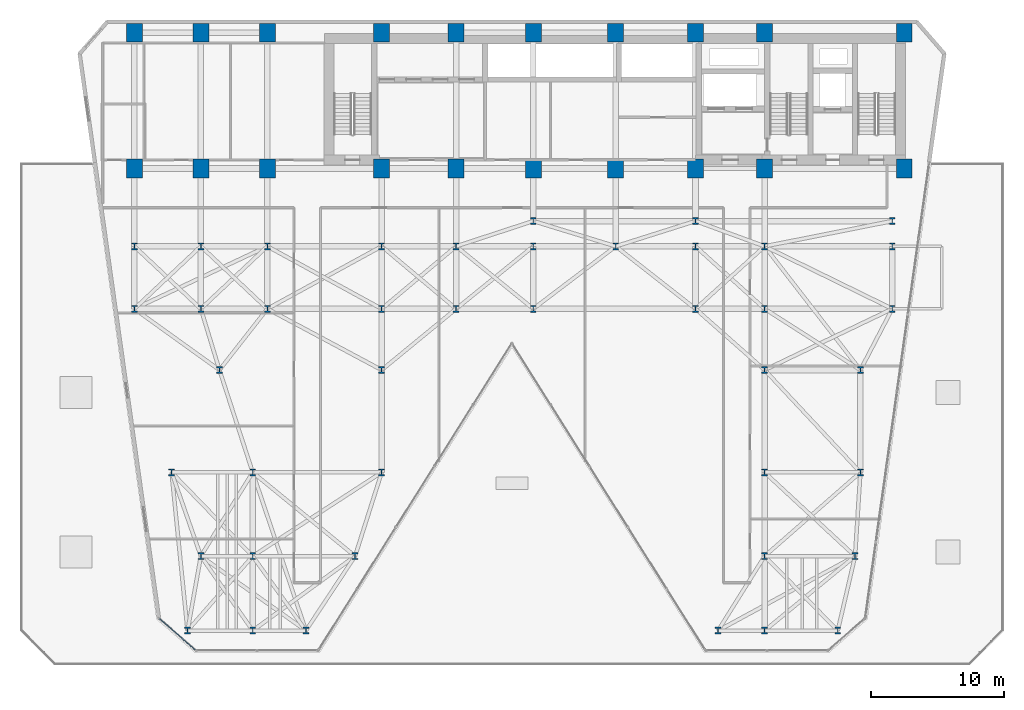
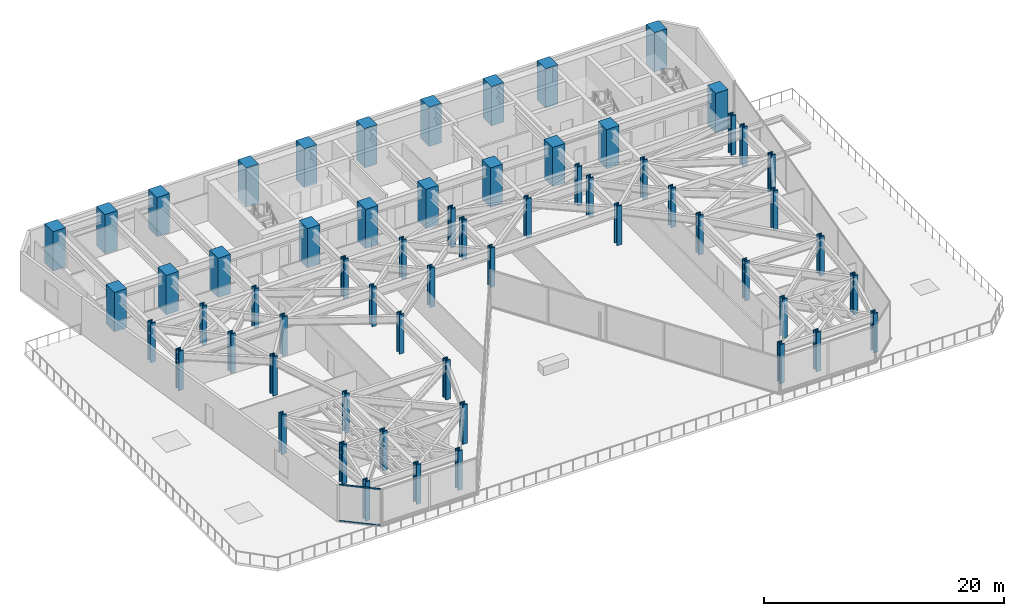
# One storey, part 1 of 25: 62 columns, 2 members, 1 element without a shape of its own.
"""IFC4 building model written with IfcOpenShell, lengths in metres."""

from ifc_helpers import new_model, si_unit, direction, frame, origin, origin_2d, place, context, subcontext, project, spatial, rectangle, hollow_rectangle, i_section, extrude, material, layer, layer_set, material_profile, profile_set, type_object, element, aggregate, save


model = new_model("IFC4")

# Units and contexts
model_context = context("Model", 3, precision=1e-05, world=origin(), true_north=direction((0.0, 1.0)))
body_context = subcontext(model_context, "Body", "Model", "MODEL_VIEW")
ifc_project = project(units=[si_unit("LENGTHUNIT", "METRE"), si_unit("AREAUNIT", "SQUARE_METRE"), si_unit("VOLUMEUNIT", "CUBIC_METRE"), si_unit("PLANEANGLEUNIT", "RADIAN"), si_unit("MASSUNIT", "GRAM", prefix="KILO")], contexts=[model_context])

# Site, building, storey
site_placement = place(None, origin())
site = spatial("IfcSite", under=ifc_project, at=site_placement, CompositionType="ELEMENT")
building_placement = place(site_placement, origin())
building = spatial("IfcBuilding", under=site, at=building_placement, Name="Kravanh Interchange Tower", CompositionType="ELEMENT")
storey_placement = place(building_placement, frame((0.0, 0.0, 29.5)))
storey = spatial("IfcBuildingStorey", under=building, at=storey_placement, Name="L06", CompositionType="ELEMENT", Elevation=29.5)

# Columns
ifc_material_1 = material(Name="Concrete C80/95", Category="concrete")
ifc_material_profile_1 = material_profile(ifc_material_1, rectangle(XDim=1.199951171875, YDim=1.39990234375, at=origin_2d()), Name="RC1200X1400")
ifc_profile_set_1 = profile_set([ifc_material_profile_1], Name="Concrete C80/95")
column_type_1 = type_object("IfcColumnType", Name="Column RC1200X1400 Concrete C80/95", PredefinedType="COLUMN", material=ifc_profile_set_1)
for number, where, z_axis, x_axis, name in (
    (1, (66.5, 47.550048828125, 0.0), (0.0, 0.0, 1.0), (1.0, 0.0, 0.0), "L06 Column CS01"),
    (2, (56.0, 47.550048828125, 0.0), (0.0, 0.0, 1.0), (1.0, 0.0, 0.0), "L06 Column CS02"),
    (3, (66.5, 37.35009765625, 0.0), (0.0, 0.0, 1.0), (1.0, 0.0, 0.0), "L06 Column CS03"),
    (4, (56.0, 37.35009765625, 0.0), (0.0, 0.0, 1.0), (1.0, 0.0, 0.0), "L06 Column CS04"),
    (5, (50.800048828125, 47.550048828125, 0.0), (0.0, 0.0, 1.0), (1.0, 0.0, 0.0), "L06 Column CS05"),
    (6, (50.800048828125, 37.35009765625, 0.0), (0.0, 0.0, 1.0), (1.0, 0.0, 0.0), "L06 Column CS06"),
    (7, (44.800048828125, 37.35009765625, 0.0), (0.0, 0.0, 1.0), (1.0, 0.0, 0.0), "L06 Column CS07"),
    (8, (44.800048828125, 47.550048828125, 0.0), (0.0, 0.0, 1.0), (1.0, 0.0, 0.0), "L06 Column CS08"),
    (9, (38.60009765625, 37.35009765625, 0.0), (0.0, 0.0, 1.0), (1.0, 0.0, 0.0), "L06 Column CS09"),
    (10, (38.60009765625, 47.550048828125, 0.0), (0.0, 0.0, 1.0), (1.0, 0.0, 0.0), "L06 Column CS10"),
    (11, (32.800048828125, 37.35009765625, 0.0), (0.0, 0.0, 1.0), (1.0, 0.0, 0.0), "L06 Column CS11"),
    (12, (32.800048828125, 47.550048828125, 0.0), (0.0, 0.0, 1.0), (1.0, 0.0, 0.0), "L06 Column CS12"),
    (13, (27.199951171875, 37.35009765625, 0.0), (0.0, 0.0, 1.0), (1.0, 0.0, 0.0), "L06 Column CS13"),
    (14, (27.199951171875, 47.550048828125, 0.0), (0.0, 0.0, 1.0), (1.0, 0.0, 0.0), "L06 Column CS14"),
    (15, (18.60009765625, 37.35009765625, 0.0), (0.0, 0.0, 1.0), (1.0, 0.0, 0.0), "L06 Column CS17"),
    (16, (18.60009765625, 47.550048828125, 0.0), (0.0, 0.0, 1.0), (1.0, 0.0, 0.0), "L06 Column CS18"),
    (17, (13.60009765625, 37.35009765625, 0.0), (0.0, 0.0, 1.0), (1.0, 0.0, 0.0), "L06 Column CS19"),
    (18, (13.60009765625, 47.550048828125, 0.0), (0.0, 0.0, 1.0), (1.0, 0.0, 0.0), "L06 Column CS20"),
    (19, (8.60009765625, 37.35009765625, 0.0), (0.0, 0.0, 1.0), (1.0, 0.0, 0.0), "L06 Column CS21"),
    (20, (8.60009765625, 47.550048828125, 0.0), (0.0, 0.0, 1.0), (1.0, 0.0, 0.0), "L06 Column CS22"),
):
    element("IfcColumn", number, at=place(storey_placement, frame(where, z_axis=z_axis, x_axis=x_axis)), inside=storey, type_object=column_type_1, Name=name, PredefinedType="COLUMN", context=body_context, shape_type="SweptSolid", body=[
        extrude(rectangle(XDim=1.199951171875, YDim=1.39990234375, at=origin_2d()), origin(), (0.0, 0.0, 1.0), 4.0),
    ])
ifc_material_2 = material(Name="Structural Steel S450", Category="steel")
ifc_material_profile_2 = material_profile(ifc_material_2, i_section(OverallWidth=0.44189453125, OverallDepth=0.531005859375, WebThickness=0.06591796875, FlangeThickness=0.105712890625, FilletRadius=0.030029296875, at=origin_2d()), Name="W14X605")
ifc_profile_set_2 = profile_set([ifc_material_profile_2], Name="Structural Steel S450")
column_type_2 = type_object("IfcColumnType", Name="Column W14X605 Structural Steel S450", PredefinedType="COLUMN", material=ifc_profile_set_2)
for number, where, z_axis, x_axis, name in (
    (21, (12.60009765625, 2.60009765625, 0.0), (0.0, 0.0, 1.0), (1.0, 0.0, 0.0), "L06 Column CZ1_1"),
    (22, (56.0, 14.5, 0.0), (0.0, 0.0, 1.0), (1.0, 0.0, 0.0), "L06 Column CZ1_10"),
    (23, (63.199951171875, 14.5, 0.0), (0.0, 0.0, 1.0), (1.0, 0.0, 0.0), "L06 Column CZ1_11"),
    (24, (15.0, 22.199951171875, 0.0), (0.0, 0.0, 1.0), (1.0, 0.0, 0.0), "L06 Column CZ1_11B"),
    (25, (27.199951171875, 22.199951171875, 0.0), (0.0, 0.0, 1.0), (1.0, 0.0, 0.0), "L06 Column CZ1_11C"),
    (26, (56.0, 22.199951171875, 0.0), (0.0, 0.0, 1.0), (1.0, 0.0, 0.0), "L06 Column CZ1_11D"),
    (27, (63.199951171875, 22.199951171875, 0.0), (0.0, 0.0, 1.0), (1.0, 0.0, 0.0), "L06 Column CZ1_11E"),
    (28, (8.60009765625, 26.800048828125, 0.0), (0.0, 0.0, 1.0), (1.0, 0.0, 0.0), "L06 Column CZ1_12"),
    (29, (13.60009765625, 26.800048828125, 0.0), (0.0, 0.0, 1.0), (1.0, 0.0, 0.0), "L06 Column CZ1_13"),
    (30, (18.60009765625, 26.800048828125, 0.0), (0.0, 0.0, 1.0), (1.0, 0.0, 0.0), "L06 Column CZ1_14"),
    (31, (27.199951171875, 26.800048828125, 0.0), (0.0, 0.0, 1.0), (1.0, 0.0, 0.0), "L06 Column CZ1_15"),
    (32, (32.800048828125, 26.800048828125, 0.0), (0.0, 0.0, 1.0), (1.0, 0.0, 0.0), "L06 Column CZ1_16"),
    (33, (38.60009765625, 26.800048828125, 0.0), (0.0, 0.0, 1.0), (1.0, 0.0, 0.0), "L06 Column CZ1_16B"),
    (34, (50.800048828125, 26.800048828125, 0.0), (0.0, 0.0, 1.0), (1.0, 0.0, 0.0), "L06 Column CZ1_17"),
    (35, (56.0, 26.800048828125, 0.0), (0.0, 0.0, 1.0), (1.0, 0.0, 0.0), "L06 Column CZ1_18"),
    (36, (65.60009765625, 26.800048828125, 0.0), (0.0, 0.0, 1.0), (1.0, 0.0, 0.0), "L06 Column CZ1_19"),
    (37, (8.60009765625, 31.5, 0.0), (0.0, 0.0, 1.0), (1.0, 0.0, 0.0), "L06 Column CZ1_19B"),
    (38, (13.60009765625, 31.5, 0.0), (0.0, 0.0, 1.0), (1.0, 0.0, 0.0), "L06 Column CZ1_19C"),
    (39, (17.5, 2.60009765625, 0.0), (0.0, 0.0, 1.0), (1.0, 0.0, 0.0), "L06 Column CZ1_2"),
    (40, (18.60009765625, 31.5, 0.0), (0.0, 0.0, 1.0), (1.0, 0.0, 0.0), "L06 Column CZ1_20"),
    (41, (27.199951171875, 31.5, 0.0), (0.0, 0.0, 1.0), (1.0, 0.0, 0.0), "L06 Column CZ1_21"),
    (42, (32.800048828125, 31.5, 0.0), (0.0, 0.0, 1.0), (1.0, 0.0, 0.0), "L06 Column CZ1_22"),
    (43, (38.60009765625, 31.5, 0.0), (0.0, 0.0, 1.0), (1.0, 0.0, 0.0), "L06 Column CZ1_23"),
    (44, (44.800048828125, 31.5, 0.0), (0.0, 0.0, 1.0), (1.0, 0.0, 0.0), "L06 Column CZ1_24"),
    (45, (50.800048828125, 31.5, 0.0), (0.0, 0.0, 1.0), (1.0, 0.0, 0.0), "L06 Column CZ1_25"),
    (46, (56.0, 31.5, 0.0), (0.0, 0.0, 1.0), (1.0, 0.0, 0.0), "L06 Column CZ1_26"),
    (47, (65.60009765625, 31.5, 0.0), (0.0, 0.0, 1.0), (1.0, 0.0, 0.0), "L06 Column CZ1_27"),
    (48, (21.5, 2.60009765625, 0.0), (0.0, 0.0, 1.0), (1.0, 0.0, 0.0), "L06 Column CZ1_3"),
    (49, (52.5, 2.60009765625, 0.0), (0.0, 0.0, 1.0), (1.0, 0.0, 0.0), "L06 Column CZ1_4"),
    (50, (56.0, 2.60009765625, 0.0), (0.0, 0.0, 1.0), (1.0, 0.0, 0.0), "L06 Column CZ1_5"),
    (51, (61.5, 2.60009765625, 0.0), (0.0, 0.0, 1.0), (1.0, 0.0, 0.0), "L06 Column CZ1_5B"),
    (52, (13.60009765625, 8.199951171875, 0.0), (0.0, 0.0, 1.0), (1.0, 0.0, 0.0), "L06 Column CZ1_6"),
    (53, (17.5, 8.199951171875, 0.0), (0.0, 0.0, 1.0), (1.0, 0.0, 0.0), "L06 Column CZ1_6B"),
    (54, (25.199951171875, 8.199951171875, 0.0), (0.0, 0.0, 1.0), (1.0, 0.0, 0.0), "L06 Column CZ1_6C"),
    (55, (56.0, 8.199951171875, 0.0), (0.0, 0.0, 1.0), (1.0, 0.0, 0.0), "L06 Column CZ1_6D"),
    (56, (62.800048828125, 8.199951171875, 0.0), (0.0, 0.0, 1.0), (1.0, 0.0, 0.0), "L06 Column CZ1_6E"),
    (57, (11.39990234375, 14.5, 0.0), (0.0, 0.0, 1.0), (1.0, 0.0, 0.0), "L06 Column CZ1_7"),
    (58, (17.5, 14.5, 0.0), (0.0, 0.0, 1.0), (1.0, 0.0, 0.0), "L06 Column CZ1_7B"),
    (59, (27.199951171875, 14.5, 0.0), (0.0, 0.0, 1.0), (1.0, 0.0, 0.0), "L06 Column CZ1_8"),
    (60, (38.60009765625, 33.39990234375, 0.0), (0.0, 0.0, 1.0), (1.0, 0.0, 0.0), "L06 Column CZ1_M1"),
    (61, (50.800048828125, 33.39990234375, 0.0), (0.0, 0.0, 1.0), (1.0, 0.0, 0.0), "L06 Column CZ1_M2"),
    (62, (65.60009765625, 33.39990234375, 0.0), (0.0, 0.0, 1.0), (1.0, 0.0, 0.0), "L06 Column CZ1_M3"),
):
    element("IfcColumn", number, at=place(storey_placement, frame(where, z_axis=z_axis, x_axis=x_axis)), inside=storey, type_object=column_type_2, Name=name, PredefinedType="COLUMN", context=body_context, shape_type="SweptSolid", body=[
        extrude(i_section(OverallWidth=0.44189453125, OverallDepth=0.531005859375, WebThickness=0.06591796875, FlangeThickness=0.105712890625, FilletRadius=0.030029296875, at=origin_2d()), origin(), (0.0, 0.0, 1.0), 4.0),
    ])

# Curtain wall, members
ifc_material_3 = material(Name="Anodised Bronze Aluminium", Category="aluminium")
ifc_layer = layer(ifc_material_3, 0.179931640625)
ifc_layer_set = layer_set([ifc_layer], Name="Unitised Curtain Wall System CW-Z1 Lower Office")
curtain_wall_type = type_object("IfcCurtainWallType", Name="Unitised Curtain Wall System CW-Z1 Lower Office", PredefinedType="NOTDEFINED", material=ifc_layer_set)
curtain_wall_placement = place(storey_placement, origin())
curtain_wall = element("IfcCurtainWall", 63, at=curtain_wall_placement, inside=storey, type_object=curtain_wall_type, Name="L06 Unitised Curtain Wall CW-L06-07", PredefinedType="NOTDEFINED")
ifc_material_4 = material(Name="Anodised Bronze Aluminium", Category="aluminium")
ifc_material_profile_3 = material_profile(ifc_material_4, hollow_rectangle(XDim=0.06005859375, YDim=0.139892578125, WallThickness=0.00390625, at=origin_2d()), Name="ALU60X140X4")
ifc_profile_set_3 = profile_set([ifc_material_profile_3], Name="Anodised Bronze Aluminium")
member_type = type_object("IfcMemberType", Name="Curtain Wall Transom ALU60X140X4 Bronze", PredefinedType="USERDEFINED", material=ifc_profile_set_3)
member_1_placement = place(storey_placement, frame((13.167724609375, 1.166015625, 0.030029296875), z_axis=(-0.754710815466, 0.656057608004, 0.0), x_axis=(-0.656057608004, -0.754710815466, 0.0)))
member_1 = element("IfcMember", 64, at=member_1_placement, type_object=member_type, Name="CW-Z1 transom 1.1", ObjectType="TRANSOM", PredefinedType="USERDEFINED", context=body_context, shape_type="SweptSolid", body=[
    extrude(hollow_rectangle(XDim=0.06005859375, YDim=0.139892578125, WallThickness=0.00390625, at=origin_2d()), origin(), (0.0, 0.0, 1.0), 3.543701171875),
])
member_2_placement = place(storey_placement, frame((13.167724609375, 1.166015625, 3.7099609375), z_axis=(-0.754710815466, 0.656057608004, 0.0), x_axis=(-0.656057608004, -0.754710815466, 0.0)))
member_2 = element("IfcMember", 65, at=member_2_placement, type_object=member_type, Name="CW-Z1 transom 1.2", ObjectType="TRANSOM", PredefinedType="USERDEFINED", context=body_context, shape_type="SweptSolid", body=[
    extrude(hollow_rectangle(XDim=0.06005859375, YDim=0.139892578125, WallThickness=0.00390625, at=origin_2d()), origin(), (0.0, 0.0, 1.0), 3.543701171875),
])
aggregate(curtain_wall, [member_1, member_2])

save(model, "model.ifc")
